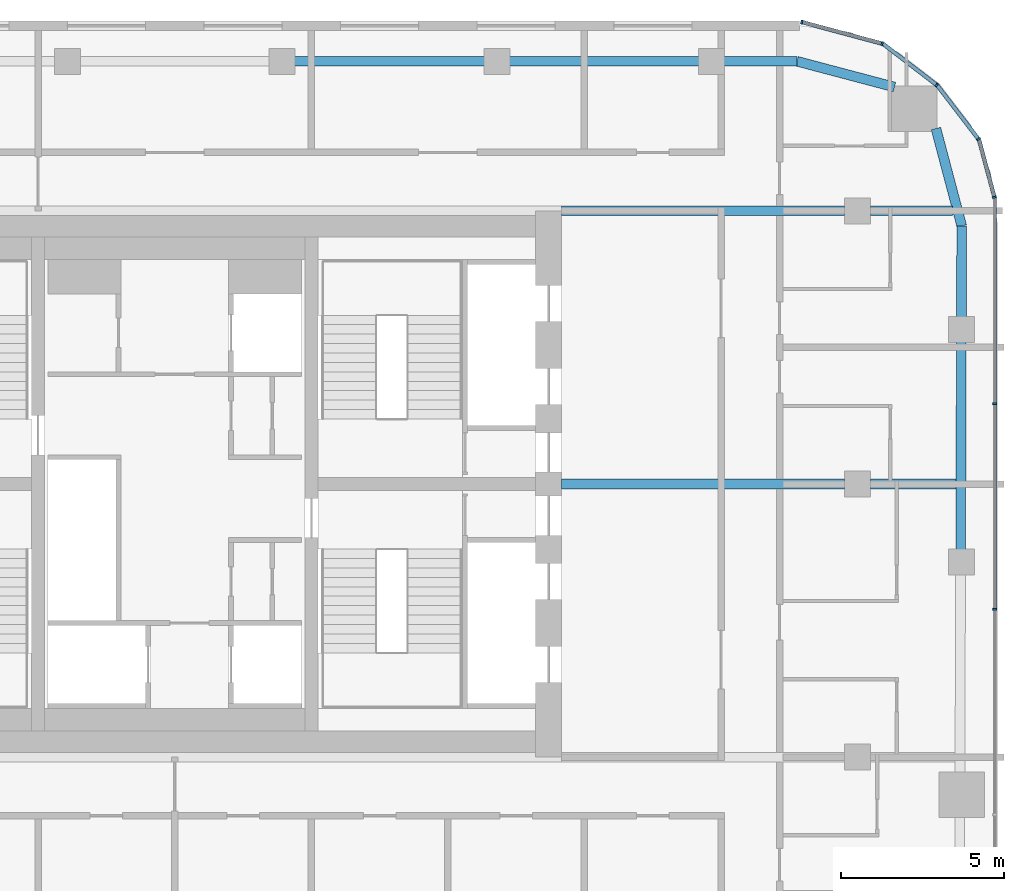
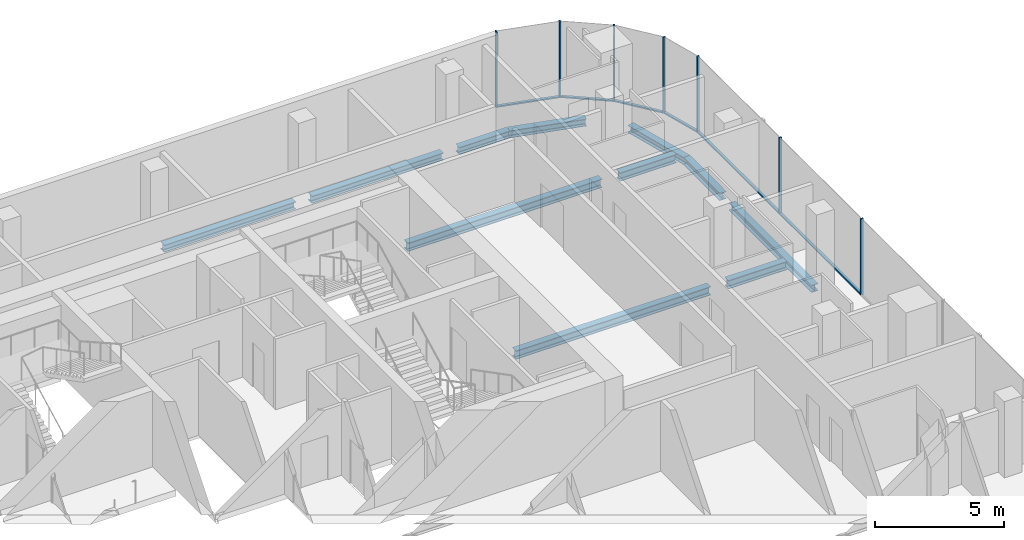
# One storey, part 11 of 22: 13 members, 11 beams, 5 elements without a shape of their own.
"""IFC4 building model written with IfcOpenShell, lengths in metres."""

import ifcopenshell
import ifcopenshell.guid

model = None  # the IFC model being written
_history = None  # IfcOwnerHistory: only IFC2X3 demands one
_inside = {}  # id of a spatial element -> (the spatial element, [elements in it])
_under = {}  # id of a project, library or spatial element -> (it, [spatial elements below it])
_declared = {}  # id of a project -> (the project, [libraries it declares])
_typed = {}  # id of a type object -> (the type object, [elements of that type])
_made_of = {}  # id of a material, layer set ... -> (it, [elements and type objects made of it])


def new_model(schema):
    """Start an empty IFC model of exactly this schema.

    Asked for "IFC4X3", IfcOpenShell would pick the latest addendum, in which some entities
    have other attributes; the version numbers below select the first issue.
    IFC2X3 requires an IfcOwnerHistory on every rooted entity: one is made here for all.
    """
    global model, _history
    if schema == "IFC4X3":
        model = ifcopenshell.file(schema_version=(4, 3, 0, 0))
    else:
        model = ifcopenshell.file(schema=schema)
    _inside.clear()
    _under.clear()
    _declared.clear()
    _typed.clear()
    _made_of.clear()
    _history = None
    if model.schema == "IFC2X3":
        org = make("IfcOrganization", Name="unknown")
        user = make(
            "IfcPersonAndOrganization",
            ThePerson=make("IfcPerson", FamilyName="unknown"),
            TheOrganization=org,
        )
        app = make(
            "IfcApplication",
            ApplicationDeveloper=org,
            Version="unknown",
            ApplicationFullName="unknown",
            ApplicationIdentifier="unknown",
        )
        _history = make(
            "IfcOwnerHistory",
            OwningUser=user,
            OwningApplication=app,
            ChangeAction="ADDED",
            CreationDate=0,
        )
    return model


def make(cls, **values):
    """One entity of the class cls with the attributes given. An attribute that is None is left unset."""
    return model.create_entity(
        cls, **{name: value for name, value in values.items() if value is not None}
    )


def rooted(cls, **values):
    """An entity with a GlobalId (a new one), such as an element, a storey or a relation."""
    return make(cls, GlobalId=ifcopenshell.guid.new(), OwnerHistory=_history, **values)


def si_unit(unit_type, name, prefix=None):
    """IfcSIUnit, for example si_unit("LENGTHUNIT", "METRE", prefix="MILLI")."""
    return make("IfcSIUnit", UnitType=unit_type, Prefix=prefix, Name=name)


def assignment(units):
    """IfcUnitAssignment: the units of a project."""
    return None if units is None else make("IfcUnitAssignment", Units=units)


def point(xyz):
    """IfcCartesianPoint."""
    return None if xyz is None else make("IfcCartesianPoint", Coordinates=xyz)


def direction(xyz):
    """IfcDirection."""
    return None if xyz is None else make("IfcDirection", DirectionRatios=xyz)


def frame(location, z_axis=None, x_axis=None):
    """IfcAxis2Placement3D, a coordinate frame: its origin and axes. An axis left out is left unset."""
    return make(
        "IfcAxis2Placement3D",
        Location=point(location),
        Axis=direction(z_axis),
        RefDirection=direction(x_axis),
    )


def frame_2d(location, x_axis=None):
    """IfcAxis2Placement2D, a coordinate frame in the plane: its origin and x axis."""
    return make(
        "IfcAxis2Placement2D", Location=point(location), RefDirection=direction(x_axis)
    )


def origin():
    """The frame at (0, 0, 0) with its axes left unset."""
    return frame((0.0, 0.0, 0.0))


def origin_2d():
    """The frame at (0, 0) in the plane with its x axis left unset."""
    return frame_2d((0.0, 0.0))


def place(relative_to, where):
    """IfcLocalPlacement: puts the frame where relative to a parent placement (None: the world)."""
    return make(
        "IfcLocalPlacement", PlacementRelTo=relative_to, RelativePlacement=where
    )


def context(
    kind, dimensions, precision=None, world=None, true_north=None, identifier=None
):
    """IfcGeometricRepresentationContext, for example the 3D "Model" context."""
    return make(
        "IfcGeometricRepresentationContext",
        ContextIdentifier=identifier,
        ContextType=kind,
        CoordinateSpaceDimension=dimensions,
        Precision=precision,
        WorldCoordinateSystem=world,
        TrueNorth=true_north,
    )


def subcontext(parent, identifier, kind, view, scale=None):
    """IfcGeometricRepresentationSubContext, for example "Body" below "Model"."""
    return make(
        "IfcGeometricRepresentationSubContext",
        ContextIdentifier=identifier,
        ContextType=kind,
        ParentContext=parent,
        TargetScale=scale,
        TargetView=view,
    )


def project(units=None, contexts=None):
    """IfcProject with its units and contexts."""
    return rooted(
        "IfcProject",
        Name="project",
        RepresentationContexts=contexts,
        UnitsInContext=assignment(units),
    )


def spatial(cls, under=None, at=None, **own):
    """A site, building, storey or space (cls), placed at a placement, below another one or the project."""
    s = rooted(cls, ObjectPlacement=at, **own)
    if under is not None:
        _under.setdefault(under.id(), (under, []))[1].append(s)
    return s


def profile(cls, at=None, kind="AREA", **sizes):
    """A parametric profile (cls). Its sizes go by their IFC names, for example OverallWidth=200.0."""
    return make(cls, ProfileType=kind, Position=at, **sizes)


def rectangle(**sizes):
    """IfcRectangleProfileDef."""
    return profile("IfcRectangleProfileDef", **sizes)


def i_section(**sizes):
    """IfcIShapeProfileDef."""
    return profile("IfcIShapeProfileDef", **sizes)


def extrude(swept, where, along, depth):
    """IfcExtrudedAreaSolid: the profile swept, set in the frame where, extruded along a direction by depth."""
    return make(
        "IfcExtrudedAreaSolid",
        SweptArea=swept,
        Position=where,
        ExtrudedDirection=direction(along),
        Depth=depth,
    )


def shape(context_of_items, identifier, shape_type, items):
    """IfcShapeRepresentation: the items that make up one representation, for example the "Body"."""
    return make(
        "IfcShapeRepresentation",
        ContextOfItems=context_of_items,
        RepresentationIdentifier=identifier,
        RepresentationType=shape_type,
        Items=items,
    )


def material(Name=None, Category=None):
    """IfcMaterial."""
    return make("IfcMaterial", Name=Name, Category=Category)


def layer(
    of_material, thickness, ventilated=None, Name=None, Category=None, Priority=None
):
    """IfcMaterialLayer: one layer of a wall or slab, of a material (None: an air gap)."""
    return make(
        "IfcMaterialLayer",
        Material=of_material,
        LayerThickness=thickness,
        IsVentilated=ventilated,
        Name=Name,
        Category=Category,
        Priority=Priority,
    )


def layer_set(layers, Name=None):
    """IfcMaterialLayerSet."""
    return make("IfcMaterialLayerSet", MaterialLayers=layers, LayerSetName=Name)


def material_profile(
    of_material, cross_section, Name=None, Category=None, Priority=None
):
    """IfcMaterialProfile: a cross section and its material."""
    return make(
        "IfcMaterialProfile",
        Name=Name,
        Material=of_material,
        Profile=cross_section,
        Priority=Priority,
        Category=Category,
    )


def profile_set(profiles, Name=None, composite=None):
    """IfcMaterialProfileSet."""
    return make(
        "IfcMaterialProfileSet",
        Name=Name,
        MaterialProfiles=profiles,
        CompositeProfile=composite,
    )


def made_of(thing, what):
    """Note that an element or type object is made of a material, layer set ...; save() writes the relation."""
    if what is not None:
        _made_of.setdefault(what.id(), (what, []))[1].append(thing)
    return thing


def type_object(cls, material=None, **own):
    """A type object (cls), such as IfcWallType, which elements share."""
    return made_of(rooted(cls, **own), material)


def element(
    cls,
    number,
    at=None,
    inside=None,
    cuts=None,
    type_object=None,
    material=None,
    context=None,
    identifier="Body",
    shape_type=None,
    held_by="IfcProductDefinitionShape",
    body=None,
    shapes=None,
    **own,
):
    """One element of the class cls, such as IfcWall. Its Tag is "e" and its number.

    at: its placement. inside: the storey or other place that contains it. cuts: it is an
    opening in that element (IfcRelVoidsElement). A single representation is given by context,
    identifier, shape_type and body (its items); several are given by shapes. held_by: the class
    of the entity that holds the representations. save() writes the other relations.
    """
    e = rooted(cls, Tag="e%d" % number, ObjectPlacement=at, **own)
    if body is not None:
        shapes = [shape(context, identifier, shape_type, body)]
    if shapes is not None:
        e.Representation = make(held_by, Representations=shapes)
    if inside is not None:
        _inside.setdefault(inside.id(), (inside, []))[1].append(e)
    if cuts is not None:
        rooted(
            "IfcRelVoidsElement", RelatingBuildingElement=cuts, RelatedOpeningElement=e
        )
    if type_object is not None:
        _typed.setdefault(type_object.id(), (type_object, []))[1].append(e)
    return made_of(e, material)


def aggregate(whole, parts):
    """IfcRelAggregates: a whole, such as a stair, and the parts it consists of."""
    return rooted("IfcRelAggregates", RelatingObject=whole, RelatedObjects=parts)


def save(model, path):
    """Write the relations noted so far, then the file.

    IfcRelAggregates (storeys below a building ...), IfcRelContainedInSpatialStructure (elements
    in a storey), IfcRelDefinesByType, IfcRelAssociatesMaterial and IfcRelDeclares: one each for
    every whole, place, type object, material and project.
    """
    for whole, parts in _under.values():
        aggregate(whole, parts)
    for where, things in _inside.values():
        rooted(
            "IfcRelContainedInSpatialStructure",
            RelatedElements=things,
            RelatingStructure=where,
        )
    for kind, things in _typed.values():
        rooted("IfcRelDefinesByType", RelatedObjects=things, RelatingType=kind)
    for what, things in _made_of.values():
        rooted("IfcRelAssociatesMaterial", RelatedObjects=things, RelatingMaterial=what)
    for by, libraries in _declared.values():
        rooted("IfcRelDeclares", RelatingContext=by, RelatedDefinitions=libraries)
    model.write(path)


model = new_model("IFC4")

# Units and contexts
model_context = context("Model", 3, precision=1e-05, world=origin(), true_north=direction((0.0, 1.0)))
body_context = subcontext(model_context, "Body", "Model", "MODEL_VIEW")
ifc_project = project(units=[si_unit("LENGTHUNIT", "METRE"), si_unit("AREAUNIT", "SQUARE_METRE"), si_unit("VOLUMEUNIT", "CUBIC_METRE"), si_unit("PLANEANGLEUNIT", "RADIAN"), si_unit("MASSUNIT", "GRAM", prefix="KILO")], contexts=[model_context])

# Site, building, storey
site_placement = place(None, origin())
site = spatial("IfcSite", under=ifc_project, at=site_placement, CompositionType="ELEMENT")
building_placement = place(site_placement, origin())
building = spatial("IfcBuilding", under=site, at=building_placement, Name="Marenta Gate Hotel Tower", CompositionType="ELEMENT")
storey_placement = place(building_placement, frame((0.0, 0.0, 209.300048828125)))
storey = spatial("IfcBuildingStorey", under=building, at=storey_placement, Name="L48", CompositionType="ELEMENT", Elevation=209.300048828125)

# Beams
ifc_material_1 = material(Name="Steel S355", Category="steel")
ifc_material_profile_1 = material_profile(ifc_material_1, i_section(OverallWidth=0.300048828125, OverallDepth=0.340087890625, WebThickness=0.011962890625, FlangeThickness=0.021484375, FilletRadius=0.027099609375, at=origin_2d()), Name="HEB 340")
ifc_profile_set_1 = profile_set([ifc_material_profile_1], Name="Steel S355")
beam_type_1 = type_object("IfcBeamType", Name="Edge beam HEB 340", PredefinedType="SPANDREL", material=ifc_profile_set_1)
for number, where, z_axis, x_axis, name in (
    (1, (3.661376953125, 21.39990234375, -0.429931640625), (1.0, 0.0, 0.0), (0.0, 1.0, 0.0), "L48-EB-17"),
    (2, (10.26416015625, 21.39990234375, -0.429931640625), (1.0, 0.0, 0.0), (0.0, 1.0, 0.0), "L48-EB-18"),
):
    element("IfcBeam", number, at=place(storey_placement, frame(where, z_axis=z_axis, x_axis=x_axis)), inside=storey, type_object=beam_type_1, Name=name, PredefinedType="SPANDREL", context=body_context, shape_type="SweptSolid", body=[
        extrude(i_section(OverallWidth=0.300048828125, OverallDepth=0.340087890625, WebThickness=0.011962890625, FlangeThickness=0.021484375, FilletRadius=0.027099609375, at=origin_2d()), origin(), (0.0, 0.0, 1.0), 5.8828125),
    ])
beam_1_placement = place(storey_placement, frame((16.866943359375, 21.39990234375, -0.429931640625), z_axis=(1.0, 0.0, 0.0), x_axis=(0.0, 1.0, 0.0)))
element("IfcBeam", 3, at=beam_1_placement, inside=storey, type_object=beam_type_1, Name="L48-EB-19", PredefinedType="SPANDREL", context=body_context, shape_type="SweptSolid", body=[
    extrude(i_section(OverallWidth=0.300048828125, OverallDepth=0.340087890625, WebThickness=0.011962890625, FlangeThickness=0.021484375, FilletRadius=0.027099609375, at=origin_2d()), origin(), (0.0, 0.0, 1.0), 2.267578125),
])
beam_2_placement = place(storey_placement, frame((19.134521484375, 21.39990234375, -0.429931640625), z_axis=(0.9667647815, -0.25566747398, 0.0), x_axis=(0.25566747398, 0.9667647815, 0.0)))
element("IfcBeam", 4, at=beam_2_placement, inside=storey, type_object=beam_type_1, Name="L48-EB-20", PredefinedType="SPANDREL", context=body_context, shape_type="SweptSolid", body=[
    extrude(i_section(OverallWidth=0.300048828125, OverallDepth=0.340087890625, WebThickness=0.011962890625, FlangeThickness=0.021484375, FilletRadius=0.027099609375, at=origin_2d()), origin(), (0.0, 0.0, 1.0), 3.1005859375),
])
beam_3_placement = place(storey_placement, frame((23.4072265625, 19.332275390625, -0.429931640625), z_axis=(0.255648013319, -0.966769927794, 0.0), x_axis=(0.966769927794, 0.255648013319, 0.0)))
element("IfcBeam", 5, at=beam_3_placement, inside=storey, type_object=beam_type_1, Name="L48-EB-21", PredefinedType="SPANDREL", context=body_context, shape_type="SweptSolid", body=[
    extrude(i_section(OverallWidth=0.300048828125, OverallDepth=0.340087890625, WebThickness=0.011962890625, FlangeThickness=0.021484375, FilletRadius=0.027099609375, at=origin_2d()), origin(), (0.0, 0.0, 1.0), 3.100830078125),
])
beam_4_placement = place(storey_placement, frame((24.199951171875, 16.33447265625, -0.429931640625), z_axis=(-0.003292020626, -0.999994581285, 0.0), x_axis=(0.999994581285, -0.003292020626, 0.0)))
element("IfcBeam", 6, at=beam_4_placement, inside=storey, type_object=beam_type_1, Name="L48-EB-22", PredefinedType="SPANDREL", context=body_context, shape_type="SweptSolid", body=[
    extrude(i_section(OverallWidth=0.300048828125, OverallDepth=0.340087890625, WebThickness=0.011962890625, FlangeThickness=0.021484375, FilletRadius=0.027099609375, at=origin_2d()), origin(), (0.0, 0.0, 1.0), 2.818115234375),
])
beam_5_placement = place(storey_placement, frame((24.188232421875, 12.79638671875, -0.429931640625), z_axis=(-0.00333963982, -0.999994423387, 0.0), x_axis=(0.999994423387, -0.00333963982, 0.0)))
element("IfcBeam", 7, at=beam_5_placement, inside=storey, type_object=beam_type_1, Name="L48-EB-23", PredefinedType="SPANDREL", context=body_context, shape_type="SweptSolid", body=[
    extrude(i_section(OverallWidth=0.300048828125, OverallDepth=0.340087890625, WebThickness=0.011962890625, FlangeThickness=0.021484375, FilletRadius=0.027099609375, at=origin_2d()), origin(), (0.0, 0.0, 1.0), 6.43310546875),
])
ifc_material_2 = material(Name="Steel S355", Category="steel")
ifc_material_profile_2 = material_profile(ifc_material_2, i_section(OverallWidth=0.300048828125, OverallDepth=0.39990234375, WebThickness=0.013427734375, FlangeThickness=0.02392578125, FilletRadius=0.027099609375, at=origin_2d()), Name="HEB 400")
ifc_profile_set_2 = profile_set([ifc_material_profile_2], Name="Steel S355")
beam_type_2 = type_object("IfcBeamType", Name="Girder HEB 400", PredefinedType="BEAM", material=ifc_profile_set_2)
beam_6_placement = place(storey_placement, frame((11.89990234375, 8.39990234375, -0.4599609375), z_axis=(1.0, 0.0, 0.0), x_axis=(0.0, 1.0, 0.0)))
element("IfcBeam", 8, at=beam_6_placement, inside=storey, type_object=beam_type_2, Name="L48-GD-27", PredefinedType="BEAM", context=body_context, shape_type="SweptSolid", body=[
    extrude(i_section(OverallWidth=0.300048828125, OverallDepth=0.39990234375, WebThickness=0.013427734375, FlangeThickness=0.02392578125, FilletRadius=0.027099609375, at=origin_2d()), origin(), (0.0, 0.0, 1.0), 8.7001953125),
])
beam_7_placement = place(storey_placement, frame((21.39990234375, 8.39990234375, -0.4599609375), z_axis=(1.0, 0.0, 0.0), x_axis=(0.0, 1.0, 0.0)))
element("IfcBeam", 9, at=beam_7_placement, inside=storey, type_object=beam_type_2, Name="L48-GD-28", PredefinedType="BEAM", context=body_context, shape_type="SweptSolid", body=[
    extrude(i_section(OverallWidth=0.300048828125, OverallDepth=0.39990234375, WebThickness=0.013427734375, FlangeThickness=0.02392578125, FilletRadius=0.027099609375, at=origin_2d()), origin(), (0.0, 0.0, 1.0), 2.623779296875),
])
beam_8_placement = place(storey_placement, frame((11.89990234375, 16.800048828125, -0.4599609375), z_axis=(1.0, 0.0, 0.0), x_axis=(0.0, 1.0, 0.0)))
element("IfcBeam", 10, at=beam_8_placement, inside=storey, type_object=beam_type_2, Name="L48-GD-32", PredefinedType="BEAM", context=body_context, shape_type="SweptSolid", body=[
    extrude(i_section(OverallWidth=0.300048828125, OverallDepth=0.39990234375, WebThickness=0.013427734375, FlangeThickness=0.02392578125, FilletRadius=0.027099609375, at=origin_2d()), origin(), (0.0, 0.0, 1.0), 8.7001953125),
])
beam_9_placement = place(storey_placement, frame((21.39990234375, 16.800048828125, -0.4599609375), z_axis=(1.0, 0.0, 0.0), x_axis=(0.0, 1.0, 0.0)))
element("IfcBeam", 11, at=beam_9_placement, inside=storey, type_object=beam_type_2, Name="L48-GD-33", PredefinedType="BEAM", context=body_context, shape_type="SweptSolid", body=[
    extrude(i_section(OverallWidth=0.300048828125, OverallDepth=0.39990234375, WebThickness=0.013427734375, FlangeThickness=0.02392578125, FilletRadius=0.027099609375, at=origin_2d()), origin(), (0.0, 0.0, 1.0), 2.521728515625),
])

# Curtain wall, members
ifc_material_3 = material(Name="Tinted insulated glass in bronze anodised frame", Category="glass")
ifc_layer = layer(ifc_material_3, 0.1201171875)
ifc_layer_set = layer_set([ifc_layer], Name="Tinted insulated glass in bronze anodised frame")
curtain_wall_type = type_object("IfcCurtainWallType", Name="Tower unitised curtain wall CW1", PredefinedType="NOTDEFINED", material=ifc_layer_set)
curtain_wall_1_placement = place(storey_placement, origin())
curtain_wall_1 = element("IfcCurtainWall", 12, at=curtain_wall_1_placement, inside=storey, type_object=curtain_wall_type, Name="CW1 run G11", PredefinedType="NOTDEFINED")
ifc_material_4 = material(Name="Bronze anodised aluminium", Category="aluminium")
ifc_material_profile_3 = material_profile(ifc_material_4, rectangle(XDim=0.1201171875, YDim=0.06005859375, at=origin_2d()), Name="Mullion CW1 60x120 bronze anodised aluminium")
ifc_profile_set_3 = profile_set([ifc_material_profile_3], Name="Bronze anodised aluminium")
member_type_1 = type_object("IfcMemberType", Name="Mullion CW1 60x120 bronze anodised aluminium", PredefinedType="MULLION", material=ifc_profile_set_3)
member_1_placement = place(storey_placement, frame((25.214111328125, 4.546630859375, 0.0), z_axis=(0.0, 0.0, 1.0), x_axis=(-1.0, 0.0, 0.0)))
member_1 = element("IfcMember", 13, at=member_1_placement, type_object=member_type_1, Name="CW1 mullion 5", PredefinedType="MULLION", context=body_context, shape_type="SweptSolid", body=[
    extrude(rectangle(XDim=0.1201171875, YDim=0.06005859375, at=origin_2d()), origin(), (0.0, 0.0, 1.0), 3.599853515625),
])
member_2_placement = place(storey_placement, frame((25.214111328125, 10.869384765625, 0.0), z_axis=(0.0, 0.0, 1.0), x_axis=(-1.0, 0.0, 0.0)))
member_2 = element("IfcMember", 14, at=member_2_placement, type_object=member_type_1, Name="CW1 mullion 6", PredefinedType="MULLION", context=body_context, shape_type="SweptSolid", body=[
    extrude(rectangle(XDim=0.1201171875, YDim=0.06005859375, at=origin_2d()), origin(), (0.0, 0.0, 1.0), 3.599853515625),
])

# Curtain wall, member
curtain_wall_2_placement = place(storey_placement, origin())
curtain_wall_2 = element("IfcCurtainWall", 15, at=curtain_wall_2_placement, inside=storey, type_object=curtain_wall_type, Name="CW1 run G12", PredefinedType="NOTDEFINED")
member_3_placement = place(storey_placement, frame((25.206298828125, 17.220947265625, 0.0), z_axis=(0.0, 0.0, 1.0), x_axis=(-0.965924453932, -0.258824166754, 0.0)))
member_3 = element("IfcMember", 16, at=member_3_placement, type_object=member_type_1, Name="CW1 mullion 1", PredefinedType="MULLION", context=body_context, shape_type="SweptSolid", body=[
    extrude(rectangle(XDim=0.1201171875, YDim=0.06005859375, at=origin_2d()), origin(), (0.0, 0.0, 1.0), 3.599853515625),
])

curtain_wall_3_placement = place(storey_placement, origin())
curtain_wall_3 = element("IfcCurtainWall", 17, at=curtain_wall_3_placement, inside=storey, type_object=curtain_wall_type, Name="CW1 run G13", PredefinedType="NOTDEFINED")
member_4_placement = place(storey_placement, frame((24.7158203125, 19.00634765625, 0.0), z_axis=(0.0, 0.0, 1.0), x_axis=(-0.793333335233, -0.608787499222, 0.0)))
member_4 = element("IfcMember", 18, at=member_4_placement, type_object=member_type_1, Name="CW1 mullion 1", PredefinedType="MULLION", context=body_context, shape_type="SweptSolid", body=[
    extrude(rectangle(XDim=0.1201171875, YDim=0.06005859375, at=origin_2d()), origin(), (0.0, 0.0, 1.0), 3.599853515625),
])

curtain_wall_4_placement = place(storey_placement, origin())
curtain_wall_4 = element("IfcCurtainWall", 19, at=curtain_wall_4_placement, inside=storey, type_object=curtain_wall_type, Name="CW1 run G14", PredefinedType="NOTDEFINED")
member_5_placement = place(storey_placement, frame((23.4287109375, 20.6708984375, 0.0), z_axis=(0.0, 0.0, 1.0), x_axis=(-0.608787499222, -0.793333335233, 0.0)))
member_5 = element("IfcMember", 20, at=member_5_placement, type_object=member_type_1, Name="CW1 mullion 1", PredefinedType="MULLION", context=body_context, shape_type="SweptSolid", body=[
    extrude(rectangle(XDim=0.1201171875, YDim=0.06005859375, at=origin_2d()), origin(), (0.0, 0.0, 1.0), 3.599853515625),
])

# Curtain wall, members
curtain_wall_5_placement = place(storey_placement, origin())
curtain_wall_5 = element("IfcCurtainWall", 21, at=curtain_wall_5_placement, inside=storey, type_object=curtain_wall_type, Name="CW1 run G15", PredefinedType="NOTDEFINED")
member_6_placement = place(storey_placement, frame((21.75341796875, 21.94189453125, 0.0), z_axis=(0.0, 0.0, 1.0), x_axis=(-0.258804895175, -0.96592961764, 0.0)))
member_6 = element("IfcMember", 22, at=member_6_placement, type_object=member_type_1, Name="CW1 mullion 1", PredefinedType="MULLION", context=body_context, shape_type="SweptSolid", body=[
    extrude(rectangle(XDim=0.1201171875, YDim=0.06005859375, at=origin_2d()), origin(), (0.0, 0.0, 1.0), 3.599853515625),
])
member_7_placement = place(storey_placement, frame((19.285400390625, 22.603271484375, 0.0), z_axis=(0.0, 0.0, 1.0), x_axis=(-0.258804895175, -0.96592961764, 0.0)))
member_7 = element("IfcMember", 23, at=member_7_placement, type_object=member_type_1, Name="CW1 mullion 2", PredefinedType="MULLION", context=body_context, shape_type="SweptSolid", body=[
    extrude(rectangle(XDim=0.1201171875, YDim=0.06005859375, at=origin_2d()), origin(), (0.0, 0.0, 1.0), 3.599853515625),
])

# Member
ifc_material_5 = material(Name="Bronze anodised aluminium", Category="aluminium")
ifc_material_profile_4 = material_profile(ifc_material_5, rectangle(XDim=0.1201171875, YDim=0.06005859375, at=origin_2d()), Name="Transom CW1 60x120 bronze anodised aluminium")
ifc_profile_set_4 = profile_set([ifc_material_profile_4], Name="Bronze anodised aluminium")
member_type_2 = type_object("IfcMemberType", Name="Transom CW1 60x120 bronze anodised aluminium", PredefinedType="USERDEFINED", material=ifc_profile_set_4)
member_8_placement = place(storey_placement, frame((25.214111328125, 4.57666015625, 0.030029296875), z_axis=(0.0, 1.0, 0.0), x_axis=(-1.0, 0.0, 0.0)))
member_8 = element("IfcMember", 24, at=member_8_placement, type_object=member_type_2, Name="CW1 transom 5.1", ObjectType="TRANSOM", PredefinedType="USERDEFINED", context=body_context, shape_type="SweptSolid", body=[
    extrude(rectangle(XDim=0.1201171875, YDim=0.06005859375, at=origin_2d()), origin(), (0.0, 0.0, 1.0), 6.2626953125),
])

member_9_placement = place(storey_placement, frame((25.214111328125, 10.899169921875, 0.030029296875), z_axis=(0.0, 1.0, 0.0), x_axis=(-1.0, 0.0, 0.0)))
member_9 = element("IfcMember", 25, at=member_9_placement, type_object=member_type_2, Name="CW1 transom 6.1", ObjectType="TRANSOM", PredefinedType="USERDEFINED", context=body_context, shape_type="SweptSolid", body=[
    extrude(rectangle(XDim=0.1201171875, YDim=0.06005859375, at=origin_2d()), origin(), (0.0, 0.0, 1.0), 6.292724609375),
])

aggregate(curtain_wall_1, [member_1, member_2, member_8, member_9])

member_10_placement = place(storey_placement, frame((25.198486328125, 17.249755859375, 0.030029296875), z_axis=(-0.258865341007, 0.96591342015, 0.0), x_axis=(-0.96591342015, -0.258865341007, 0.0)))
member_10 = element("IfcMember", 26, at=member_10_placement, type_object=member_type_2, Name="CW1 transom 1.1", ObjectType="TRANSOM", PredefinedType="USERDEFINED", context=body_context, shape_type="SweptSolid", body=[
    extrude(rectangle(XDim=0.1201171875, YDim=0.06005859375, at=origin_2d()), origin(), (0.0, 0.0, 1.0), 1.793701171875),
])

aggregate(curtain_wall_2, [member_3, member_10])

member_11_placement = place(storey_placement, frame((24.69775390625, 19.030029296875, 0.030029296875), z_axis=(-0.608787337271, 0.79333345951, 0.0), x_axis=(-0.79333345951, -0.608787337271, 0.0)))
member_11 = element("IfcMember", 27, at=member_11_placement, type_object=member_type_2, Name="CW1 transom 1.1", ObjectType="TRANSOM", PredefinedType="USERDEFINED", context=body_context, shape_type="SweptSolid", body=[
    extrude(rectangle(XDim=0.1201171875, YDim=0.06005859375, at=origin_2d()), origin(), (0.0, 0.0, 1.0), 2.045166015625),
])

aggregate(curtain_wall_3, [member_4, member_11])

member_12_placement = place(storey_placement, frame((23.405029296875, 20.689208984375, 0.030029296875), z_axis=(-0.793391112466, 0.60871220019, 0.0), x_axis=(-0.60871220019, -0.793391112466, 0.0)))
member_12 = element("IfcMember", 28, at=member_12_placement, type_object=member_type_2, Name="CW1 transom 1.1", ObjectType="TRANSOM", PredefinedType="USERDEFINED", context=body_context, shape_type="SweptSolid", body=[
    extrude(rectangle(XDim=0.1201171875, YDim=0.06005859375, at=origin_2d()), origin(), (0.0, 0.0, 1.0), 2.045166015625),
])

aggregate(curtain_wall_4, [member_5, member_12])

member_13_placement = place(storey_placement, frame((21.724609375, 21.94970703125, 0.030029296875), z_axis=(-0.965930582093, 0.258801295547, 0.0), x_axis=(-0.258801295547, -0.965930582093, 0.0)))
member_13 = element("IfcMember", 29, at=member_13_placement, type_object=member_type_2, Name="CW1 transom 1.1", ObjectType="TRANSOM", PredefinedType="USERDEFINED", context=body_context, shape_type="SweptSolid", body=[
    extrude(rectangle(XDim=0.1201171875, YDim=0.06005859375, at=origin_2d()), origin(), (0.0, 0.0, 1.0), 2.4951171875),
])

aggregate(curtain_wall_5, [member_6, member_7, member_13])

save(model, "model.ifc")
